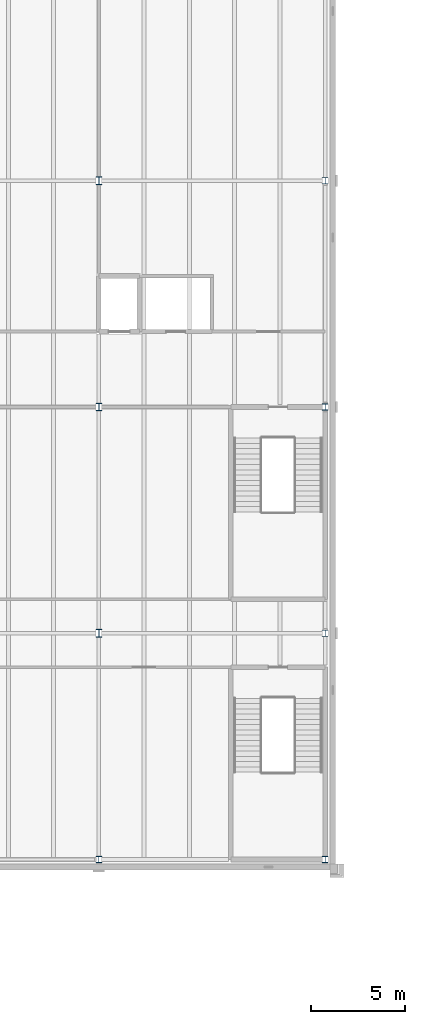
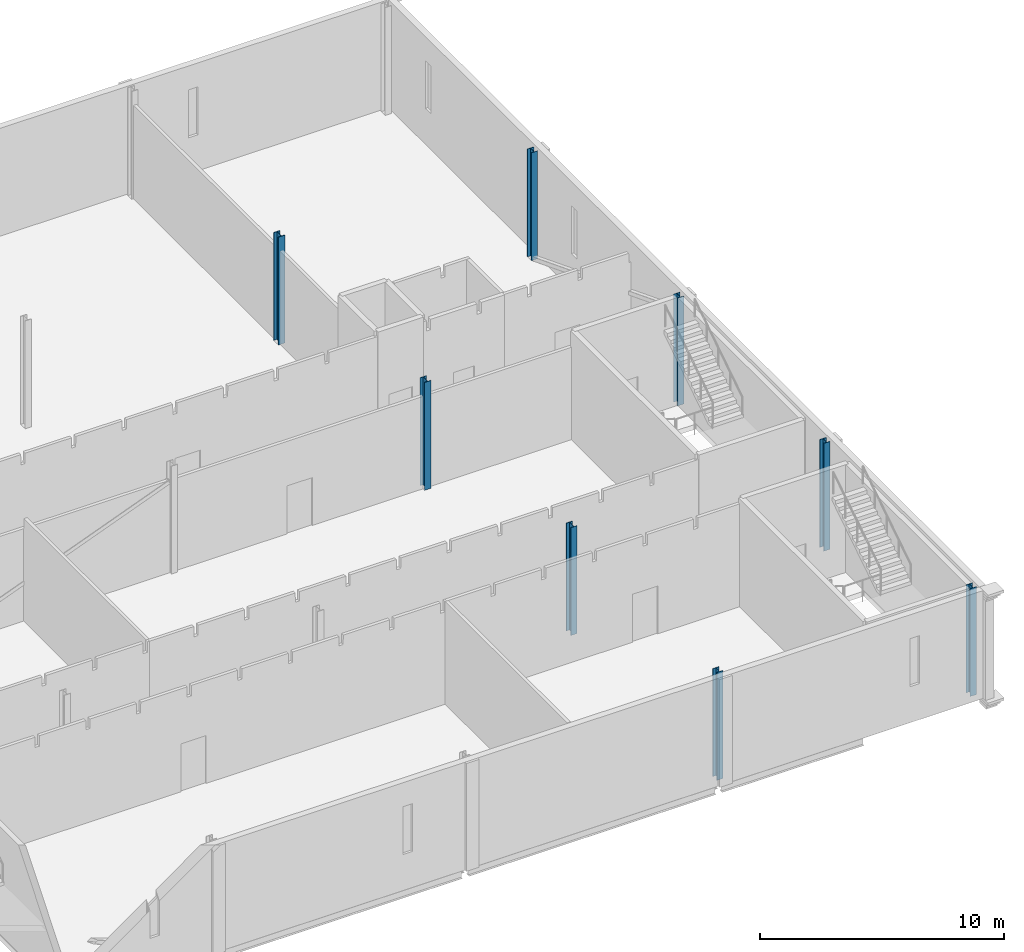
# One storey, part 31 of 170: 8 columns.
"""IFC4 building model written with IfcOpenShell, lengths in metres."""

import ifcopenshell
import ifcopenshell.guid

model = None  # the IFC model being written
_history = None  # IfcOwnerHistory: only IFC2X3 demands one
_inside = {}  # id of a spatial element -> (the spatial element, [elements in it])
_under = {}  # id of a project, library or spatial element -> (it, [spatial elements below it])
_declared = {}  # id of a project -> (the project, [libraries it declares])
_typed = {}  # id of a type object -> (the type object, [elements of that type])
_made_of = {}  # id of a material, layer set ... -> (it, [elements and type objects made of it])


def new_model(schema):
    """Start an empty IFC model of exactly this schema.

    Asked for "IFC4X3", IfcOpenShell would pick the latest addendum, in which some entities
    have other attributes; the version numbers below select the first issue.
    IFC2X3 requires an IfcOwnerHistory on every rooted entity: one is made here for all.
    """
    global model, _history
    if schema == "IFC4X3":
        model = ifcopenshell.file(schema_version=(4, 3, 0, 0))
    else:
        model = ifcopenshell.file(schema=schema)
    _inside.clear()
    _under.clear()
    _declared.clear()
    _typed.clear()
    _made_of.clear()
    _history = None
    if model.schema == "IFC2X3":
        org = make("IfcOrganization", Name="unknown")
        user = make(
            "IfcPersonAndOrganization",
            ThePerson=make("IfcPerson", FamilyName="unknown"),
            TheOrganization=org,
        )
        app = make(
            "IfcApplication",
            ApplicationDeveloper=org,
            Version="unknown",
            ApplicationFullName="unknown",
            ApplicationIdentifier="unknown",
        )
        _history = make(
            "IfcOwnerHistory",
            OwningUser=user,
            OwningApplication=app,
            ChangeAction="ADDED",
            CreationDate=0,
        )
    return model


def make(cls, **values):
    """One entity of the class cls with the attributes given. An attribute that is None is left unset."""
    return model.create_entity(
        cls, **{name: value for name, value in values.items() if value is not None}
    )


def rooted(cls, **values):
    """An entity with a GlobalId (a new one), such as an element, a storey or a relation."""
    return make(cls, GlobalId=ifcopenshell.guid.new(), OwnerHistory=_history, **values)


def si_unit(unit_type, name, prefix=None):
    """IfcSIUnit, for example si_unit("LENGTHUNIT", "METRE", prefix="MILLI")."""
    return make("IfcSIUnit", UnitType=unit_type, Prefix=prefix, Name=name)


def assignment(units):
    """IfcUnitAssignment: the units of a project."""
    return None if units is None else make("IfcUnitAssignment", Units=units)


def point(xyz):
    """IfcCartesianPoint."""
    return None if xyz is None else make("IfcCartesianPoint", Coordinates=xyz)


def direction(xyz):
    """IfcDirection."""
    return None if xyz is None else make("IfcDirection", DirectionRatios=xyz)


def frame(location, z_axis=None, x_axis=None):
    """IfcAxis2Placement3D, a coordinate frame: its origin and axes. An axis left out is left unset."""
    return make(
        "IfcAxis2Placement3D",
        Location=point(location),
        Axis=direction(z_axis),
        RefDirection=direction(x_axis),
    )


def frame_2d(location, x_axis=None):
    """IfcAxis2Placement2D, a coordinate frame in the plane: its origin and x axis."""
    return make(
        "IfcAxis2Placement2D", Location=point(location), RefDirection=direction(x_axis)
    )


def origin():
    """The frame at (0, 0, 0) with its axes left unset."""
    return frame((0.0, 0.0, 0.0))


def origin_2d():
    """The frame at (0, 0) in the plane with its x axis left unset."""
    return frame_2d((0.0, 0.0))


def place(relative_to, where):
    """IfcLocalPlacement: puts the frame where relative to a parent placement (None: the world)."""
    return make(
        "IfcLocalPlacement", PlacementRelTo=relative_to, RelativePlacement=where
    )


def context(
    kind, dimensions, precision=None, world=None, true_north=None, identifier=None
):
    """IfcGeometricRepresentationContext, for example the 3D "Model" context."""
    return make(
        "IfcGeometricRepresentationContext",
        ContextIdentifier=identifier,
        ContextType=kind,
        CoordinateSpaceDimension=dimensions,
        Precision=precision,
        WorldCoordinateSystem=world,
        TrueNorth=true_north,
    )


def subcontext(parent, identifier, kind, view, scale=None):
    """IfcGeometricRepresentationSubContext, for example "Body" below "Model"."""
    return make(
        "IfcGeometricRepresentationSubContext",
        ContextIdentifier=identifier,
        ContextType=kind,
        ParentContext=parent,
        TargetScale=scale,
        TargetView=view,
    )


def project(units=None, contexts=None):
    """IfcProject with its units and contexts."""
    return rooted(
        "IfcProject",
        Name="project",
        RepresentationContexts=contexts,
        UnitsInContext=assignment(units),
    )


def spatial(cls, under=None, at=None, **own):
    """A site, building, storey or space (cls), placed at a placement, below another one or the project."""
    s = rooted(cls, ObjectPlacement=at, **own)
    if under is not None:
        _under.setdefault(under.id(), (under, []))[1].append(s)
    return s


def profile(cls, at=None, kind="AREA", **sizes):
    """A parametric profile (cls). Its sizes go by their IFC names, for example OverallWidth=200.0."""
    return make(cls, ProfileType=kind, Position=at, **sizes)


def i_section(**sizes):
    """IfcIShapeProfileDef."""
    return profile("IfcIShapeProfileDef", **sizes)


def extrude(swept, where, along, depth):
    """IfcExtrudedAreaSolid: the profile swept, set in the frame where, extruded along a direction by depth."""
    return make(
        "IfcExtrudedAreaSolid",
        SweptArea=swept,
        Position=where,
        ExtrudedDirection=direction(along),
        Depth=depth,
    )


def shape(context_of_items, identifier, shape_type, items):
    """IfcShapeRepresentation: the items that make up one representation, for example the "Body"."""
    return make(
        "IfcShapeRepresentation",
        ContextOfItems=context_of_items,
        RepresentationIdentifier=identifier,
        RepresentationType=shape_type,
        Items=items,
    )


def material(Name=None, Category=None):
    """IfcMaterial."""
    return make("IfcMaterial", Name=Name, Category=Category)


def material_profile(
    of_material, cross_section, Name=None, Category=None, Priority=None
):
    """IfcMaterialProfile: a cross section and its material."""
    return make(
        "IfcMaterialProfile",
        Name=Name,
        Material=of_material,
        Profile=cross_section,
        Priority=Priority,
        Category=Category,
    )


def profile_set(profiles, Name=None, composite=None):
    """IfcMaterialProfileSet."""
    return make(
        "IfcMaterialProfileSet",
        Name=Name,
        MaterialProfiles=profiles,
        CompositeProfile=composite,
    )


def made_of(thing, what):
    """Note that an element or type object is made of a material, layer set ...; save() writes the relation."""
    if what is not None:
        _made_of.setdefault(what.id(), (what, []))[1].append(thing)
    return thing


def type_object(cls, material=None, **own):
    """A type object (cls), such as IfcWallType, which elements share."""
    return made_of(rooted(cls, **own), material)


def element(
    cls,
    number,
    at=None,
    inside=None,
    cuts=None,
    type_object=None,
    material=None,
    context=None,
    identifier="Body",
    shape_type=None,
    held_by="IfcProductDefinitionShape",
    body=None,
    shapes=None,
    **own,
):
    """One element of the class cls, such as IfcWall. Its Tag is "e" and its number.

    at: its placement. inside: the storey or other place that contains it. cuts: it is an
    opening in that element (IfcRelVoidsElement). A single representation is given by context,
    identifier, shape_type and body (its items); several are given by shapes. held_by: the class
    of the entity that holds the representations. save() writes the other relations.
    """
    e = rooted(cls, Tag="e%d" % number, ObjectPlacement=at, **own)
    if body is not None:
        shapes = [shape(context, identifier, shape_type, body)]
    if shapes is not None:
        e.Representation = make(held_by, Representations=shapes)
    if inside is not None:
        _inside.setdefault(inside.id(), (inside, []))[1].append(e)
    if cuts is not None:
        rooted(
            "IfcRelVoidsElement", RelatingBuildingElement=cuts, RelatedOpeningElement=e
        )
    if type_object is not None:
        _typed.setdefault(type_object.id(), (type_object, []))[1].append(e)
    return made_of(e, material)


def aggregate(whole, parts):
    """IfcRelAggregates: a whole, such as a stair, and the parts it consists of."""
    return rooted("IfcRelAggregates", RelatingObject=whole, RelatedObjects=parts)


def save(model, path):
    """Write the relations noted so far, then the file.

    IfcRelAggregates (storeys below a building ...), IfcRelContainedInSpatialStructure (elements
    in a storey), IfcRelDefinesByType, IfcRelAssociatesMaterial and IfcRelDeclares: one each for
    every whole, place, type object, material and project.
    """
    for whole, parts in _under.values():
        aggregate(whole, parts)
    for where, things in _inside.values():
        rooted(
            "IfcRelContainedInSpatialStructure",
            RelatedElements=things,
            RelatingStructure=where,
        )
    for kind, things in _typed.values():
        rooted("IfcRelDefinesByType", RelatedObjects=things, RelatingType=kind)
    for what, things in _made_of.values():
        rooted("IfcRelAssociatesMaterial", RelatedObjects=things, RelatingMaterial=what)
    for by, libraries in _declared.values():
        rooted("IfcRelDeclares", RelatingContext=by, RelatedDefinitions=libraries)
    model.write(path)


model = new_model("IFC4")

# Units and contexts
model_context = context("Model", 3, precision=1e-05, world=origin(), true_north=direction((0.0, 1.0)))
body_context = subcontext(model_context, "Body", "Model", "MODEL_VIEW")
ifc_project = project(units=[si_unit("LENGTHUNIT", "METRE"), si_unit("AREAUNIT", "SQUARE_METRE"), si_unit("VOLUMEUNIT", "CUBIC_METRE"), si_unit("PLANEANGLEUNIT", "RADIAN"), si_unit("MASSUNIT", "GRAM", prefix="KILO")], contexts=[model_context])

# Site, building, storey
site_placement = place(None, origin())
site = spatial("IfcSite", under=ifc_project, at=site_placement, CompositionType="ELEMENT")
building_placement = place(site_placement, origin())
building = spatial("IfcBuilding", under=site, at=building_placement, Name="Ravi Spectrum Wholesale Market", CompositionType="ELEMENT")
storey_placement = place(building_placement, frame((0.0, 0.0, 5.39990234375)))
storey = spatial("IfcBuildingStorey", under=building, at=storey_placement, Name="L01", CompositionType="ELEMENT", Elevation=5.39990234375)

# Columns
ifc_material_1 = material(Name="Steel S355", Category="steel")
ifc_material_profile_1 = material_profile(ifc_material_1, i_section(OverallWidth=0.300048828125, OverallDepth=0.340087890625, WebThickness=0.011962890625, FlangeThickness=0.021484375, at=origin_2d()))
ifc_profile_set_1 = profile_set([ifc_material_profile_1], Name="Steel S355")
column_type_1 = type_object("IfcColumnType", Name="HEB 340 column", PredefinedType="COLUMN", material=ifc_profile_set_1)
for number, where, z_axis, x_axis, name in (
    (1, (270.0, 18.0, 0.0), (0.0, 0.0, 1.0), (1.0, 0.0, 0.0), "CS-COL-L01-031"),
    (2, (282.0, 18.0, 0.0), (0.0, 0.0, 1.0), (1.0, 0.0, 0.0), "CS-COL-L01-036"),
    (3, (282.0, 30.0, 0.0), (0.0, 0.0, 1.0), (1.0, 0.0, 0.0), "CS-COL-L01-037"),
    (4, (282.0, 42.0, 0.0), (0.0, 0.0, 1.0), (1.0, 0.0, 0.0), "CS-COL-L01-038"),
    (5, (282.0, 54.0, 0.0), (0.0, 0.0, 1.0), (1.0, 0.0, 0.0), "CS-COL-L01-039"),
):
    element("IfcColumn", number, at=place(storey_placement, frame(where, z_axis=z_axis, x_axis=x_axis)), inside=storey, type_object=column_type_1, Name=name, PredefinedType="COLUMN", context=body_context, shape_type="SweptSolid", body=[
        extrude(i_section(OverallWidth=0.300048828125, OverallDepth=0.340087890625, WebThickness=0.011962890625, FlangeThickness=0.021484375, at=origin_2d()), origin(), (0.0, 0.0, 1.0), 5.400146484375),
    ])
ifc_material_2 = material(Name="Steel S355", Category="steel")
ifc_material_profile_2 = material_profile(ifc_material_2, i_section(OverallWidth=0.300048828125, OverallDepth=0.39990234375, WebThickness=0.013427734375, FlangeThickness=0.02392578125, at=origin_2d()))
ifc_profile_set_2 = profile_set([ifc_material_profile_2], Name="Steel S355")
column_type_2 = type_object("IfcColumnType", Name="HEB 400 column", PredefinedType="COLUMN", material=ifc_profile_set_2)
for number, where, z_axis, x_axis, name in (
    (6, (270.0, 30.0, 0.0), (0.0, 0.0, 1.0), (1.0, 0.0, 0.0), "CS-COL-L01-032"),
    (7, (270.0, 42.0, 0.0), (0.0, 0.0, 1.0), (1.0, 0.0, 0.0), "CS-COL-L01-033"),
    (8, (270.0, 54.0, 0.0), (0.0, 0.0, 1.0), (1.0, 0.0, 0.0), "CS-COL-L01-034"),
):
    element("IfcColumn", number, at=place(storey_placement, frame(where, z_axis=z_axis, x_axis=x_axis)), inside=storey, type_object=column_type_2, Name=name, PredefinedType="COLUMN", context=body_context, shape_type="SweptSolid", body=[
        extrude(i_section(OverallWidth=0.300048828125, OverallDepth=0.39990234375, WebThickness=0.013427734375, FlangeThickness=0.02392578125, at=origin_2d()), origin(), (0.0, 0.0, 1.0), 5.400146484375),
    ])

save(model, "model.ifc")
